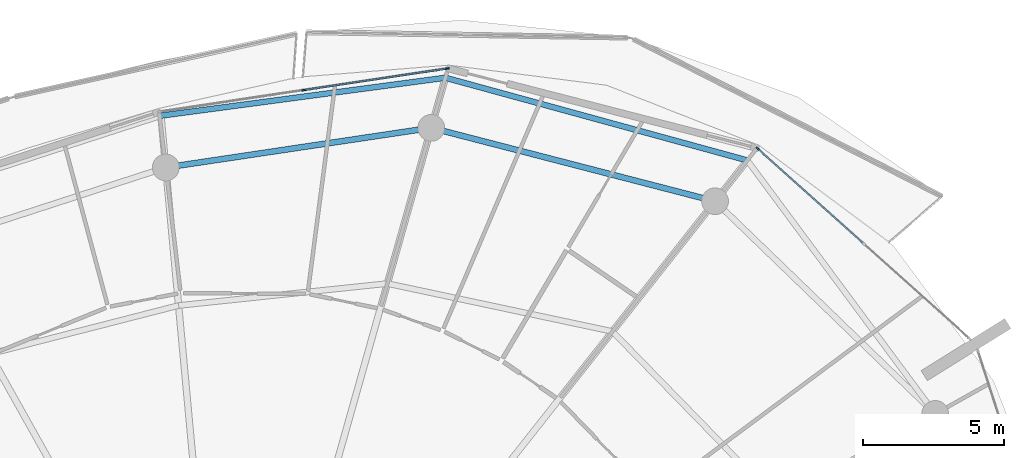
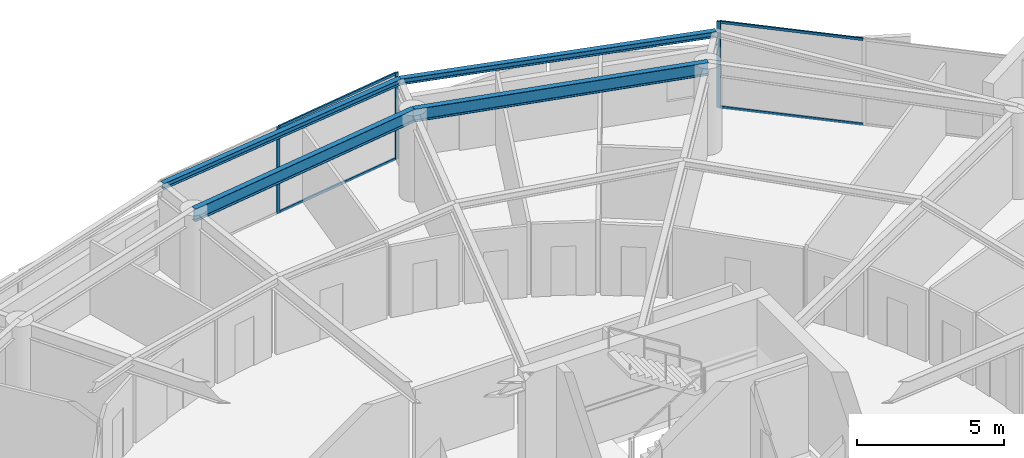
# One storey, part 16 of 30: 7 members, 4 beams, 2 elements without a shape of their own.
"""IFC4 building model written with IfcOpenShell, lengths in metres."""

from ifc_helpers import new_model, si_unit, direction, frame, origin, origin_2d, place, context, subcontext, project, spatial, rectangle, i_section, extrude, material, layer, layer_set, material_profile, profile_set, type_object, element, aggregate, save


model = new_model("IFC4")

# Units and contexts
model_context = context("Model", 3, precision=1e-05, world=origin(), true_north=direction((0.0, 1.0)))
body_context = subcontext(model_context, "Body", "Model", "MODEL_VIEW")
ifc_project = project(units=[si_unit("LENGTHUNIT", "METRE"), si_unit("AREAUNIT", "SQUARE_METRE"), si_unit("VOLUMEUNIT", "CUBIC_METRE"), si_unit("PLANEANGLEUNIT", "RADIAN"), si_unit("MASSUNIT", "GRAM", prefix="KILO")], contexts=[model_context])

# Site, building, storey
site_placement = place(None, origin())
site = spatial("IfcSite", under=ifc_project, at=site_placement, CompositionType="ELEMENT")
building_placement = place(site_placement, origin())
building = spatial("IfcBuilding", under=site, at=building_placement, Name="Kazma Halo Residences", CompositionType="ELEMENT")
storey_placement = place(building_placement, frame((0.0, 0.0, 298.300048828125)))
storey = spatial("IfcBuildingStorey", under=building, at=storey_placement, Name="L75", CompositionType="ELEMENT", Elevation=298.300048828125)

# Beams
ifc_material_1 = material(Name="Steel S355", Category="steel")
ifc_material_profile_1 = material_profile(ifc_material_1, i_section(OverallWidth=0.201904296875, OverallDepth=0.2470703125, WebThickness=0.00732421875, FlangeThickness=0.010986328125, FilletRadius=0.011962890625, at=origin_2d()), Name="W250x49.1")
ifc_profile_set_1 = profile_set([ifc_material_profile_1], Name="Steel S355")
beam_type_1 = type_object("IfcBeamType", Name="BM-BAL-CANT", PredefinedType="BEAM", material=ifc_profile_set_1)
beam_1_placement = place(storey_placement, frame((65.992431640625, 64.823486328125, 3.466552734375), z_axis=(-0.964514665976, 0.264029277006, 0.0), x_axis=(-0.264029277006, -0.964514665976, 0.0)))
element("IfcBeam", 1, at=beam_1_placement, inside=storey, type_object=beam_type_1, Name="L75 wave-balcony tie beam 02", PredefinedType="BEAM", context=body_context, shape_type="SweptSolid", body=[
    extrude(i_section(OverallWidth=0.201904296875, OverallDepth=0.2470703125, WebThickness=0.00732421875, FlangeThickness=0.010986328125, FilletRadius=0.011962890625, at=origin_2d()), origin(), (0.0, 0.0, 1.0), 11.1220703125),
])
beam_2_placement = place(storey_placement, frame((55.26513671875, 67.760009765625, 3.466552734375), z_axis=(-0.991234590706, -0.132113535217, 0.0), x_axis=(0.132113535217, -0.991234590706, 0.0)))
element("IfcBeam", 2, at=beam_2_placement, inside=storey, type_object=beam_type_1, Name="L75 wave-balcony tie beam 03", PredefinedType="BEAM", context=body_context, shape_type="SweptSolid", body=[
    extrude(i_section(OverallWidth=0.201904296875, OverallDepth=0.2470703125, WebThickness=0.00732421875, FlangeThickness=0.010986328125, FilletRadius=0.011962890625, at=origin_2d()), origin(), (0.0, 0.0, 1.0), 10.197021484375),
])
ifc_material_profile_2 = material_profile(ifc_material_1, i_section(OverallWidth=0.208984375, OverallDepth=0.532958984375, WebThickness=0.01025390625, FlangeThickness=0.015625, FilletRadius=0.01611328125, at=origin_2d()), Name="W530x92")
ifc_profile_set_2 = profile_set([ifc_material_profile_2], Name="Steel S355")
beam_type_2 = type_object("IfcBeamType", Name="BM-SPN-W530", PredefinedType="BEAM", material=ifc_profile_set_2)
beam_3_placement = place(storey_placement, frame((64.84716796875, 63.37060546875, 3.323486328125), z_axis=(-0.968126042852, 0.250463500639, 0.0), x_axis=(-0.250463500639, -0.968126042852, 0.0)))
element("IfcBeam", 3, at=beam_3_placement, inside=storey, type_object=beam_type_2, Name="L75 perimeter ring beam 02", PredefinedType="BEAM", context=body_context, shape_type="SweptSolid", body=[
    extrude(i_section(OverallWidth=0.208984375, OverallDepth=0.532958984375, WebThickness=0.01025390625, FlangeThickness=0.015625, FilletRadius=0.01611328125, at=origin_2d()), origin(), (0.0, 0.0, 1.0), 10.416259765625),
])
beam_4_placement = place(storey_placement, frame((54.762939453125, 65.9794921875, 3.323486328125), z_axis=(-0.989035441627, -0.147678350495, 0.0), x_axis=(0.147678350495, -0.989035441627, 0.0)))
element("IfcBeam", 4, at=beam_4_placement, inside=storey, type_object=beam_type_2, Name="L75 perimeter ring beam 03", PredefinedType="BEAM", context=body_context, shape_type="SweptSolid", body=[
    extrude(i_section(OverallWidth=0.208984375, OverallDepth=0.532958984375, WebThickness=0.01025390625, FlangeThickness=0.015625, FilletRadius=0.01611328125, at=origin_2d()), origin(), (0.0, 0.0, 1.0), 9.538818359375),
])

# Curtain wall, member
ifc_material_2 = material(Name="Aluminium AW-6063 T6 and Triple-Silver Low-E Glass", Category="aluminium")
ifc_layer = layer(ifc_material_2, 0.139892578125)
ifc_layer_set = layer_set([ifc_layer], Name="Aluminium AW-6063 T6 and Triple-Silver Low-E Glass")
curtain_wall_type = type_object("IfcCurtainWallType", Name="CW-SYS-5", PredefinedType="NOTDEFINED", material=ifc_layer_set)
curtain_wall_1_placement = place(storey_placement, origin())
curtain_wall_1 = element("IfcCurtainWall", 5, at=curtain_wall_1_placement, inside=storey, type_object=curtain_wall_type, Name="L75 unitised curtain wall B01", PredefinedType="NOTDEFINED")
ifc_material_3 = material(Name="Aluminium AW-6063 T6", Category="aluminium")
ifc_material_profile_3 = material_profile(ifc_material_3, rectangle(XDim=0.06005859375, YDim=0.139892578125, at=origin_2d()), Name="CWM-60x140")
ifc_profile_set_3 = profile_set([ifc_material_profile_3], Name="Aluminium AW-6063 T6")
member_type_1 = type_object("IfcMemberType", Name="CW-SYS-5-MUL", PredefinedType="MULLION", material=ifc_profile_set_3)
member_1_placement = place(storey_placement, frame((66.3603515625, 65.241455078125, 0.0), z_axis=(0.0, 0.0, 1.0), x_axis=(-0.667804826958, -0.744336424671, 0.0)))
member_1 = element("IfcMember", 6, at=member_1_placement, type_object=member_type_1, Name="CWS-5 mullion 3", PredefinedType="MULLION", context=body_context, shape_type="SweptSolid", body=[
    extrude(rectangle(XDim=0.06005859375, YDim=0.139892578125, at=origin_2d()), origin(), (0.0, 0.0, 1.0), 3.58984375),
])

# Curtain wall, members
curtain_wall_2_placement = place(storey_placement, origin())
curtain_wall_2 = element("IfcCurtainWall", 7, at=curtain_wall_2_placement, inside=storey, type_object=curtain_wall_type, Name="L75 unitised curtain wall B03", PredefinedType="NOTDEFINED")
member_2_placement = place(storey_placement, frame((55.328857421875, 68.087158203125, 0.0), z_axis=(0.0, 0.0, 1.0), x_axis=(0.148697080374, -0.988882792998, 0.0)))
member_2 = element("IfcMember", 8, at=member_2_placement, type_object=member_type_1, Name="CWS-5 mullion 1", PredefinedType="MULLION", context=body_context, shape_type="SweptSolid", body=[
    extrude(rectangle(XDim=0.06005859375, YDim=0.139892578125, at=origin_2d()), origin(), (0.0, 0.0, 1.0), 3.58984375),
])
member_3_placement = place(storey_placement, frame((50.2265625, 67.320068359375, 0.0), z_axis=(0.0, 0.0, 1.0), x_axis=(0.148697080374, -0.988882792998, 0.0)))
member_3 = element("IfcMember", 9, at=member_3_placement, type_object=member_type_1, Name="CWS-5 mullion 2", PredefinedType="MULLION", context=body_context, shape_type="SweptSolid", body=[
    extrude(rectangle(XDim=0.06005859375, YDim=0.139892578125, at=origin_2d()), origin(), (0.0, 0.0, 1.0), 3.58984375),
])

# Member
ifc_material_profile_4 = material_profile(ifc_material_3, rectangle(XDim=0.06005859375, YDim=0.10498046875, at=origin_2d()), Name="CWT-60x105")
ifc_profile_set_4 = profile_set([ifc_material_profile_4], Name="Aluminium AW-6063 T6")
member_type_2 = type_object("IfcMemberType", Name="CW-SYS-5-TRN", PredefinedType="USERDEFINED", material=ifc_profile_set_4)
member_4_placement = place(storey_placement, frame((70.099609375, 61.88671875, 0.030029296875), z_axis=(-0.744350700793, 0.667788914425, 0.0), x_axis=(-0.667788914425, -0.744350700793, 0.0)))
member_4 = element("IfcMember", 10, at=member_4_placement, type_object=member_type_2, Name="CWS-5 transom 2.1", ObjectType="TRANSOM", PredefinedType="USERDEFINED", context=body_context, shape_type="SweptSolid", body=[
    extrude(rectangle(XDim=0.06005859375, YDim=0.10498046875, at=origin_2d()), origin(), (0.0, 0.0, 1.0), 4.99365234375),
])

member_5_placement = place(storey_placement, frame((70.099609375, 61.88671875, 3.56005859375), z_axis=(-0.744350700793, 0.667788914425, 0.0), x_axis=(-0.667788914425, -0.744350700793, 0.0)))
member_5 = element("IfcMember", 11, at=member_5_placement, type_object=member_type_2, Name="CWS-5 transom 2.2", ObjectType="TRANSOM", PredefinedType="USERDEFINED", context=body_context, shape_type="SweptSolid", body=[
    extrude(rectangle(XDim=0.06005859375, YDim=0.10498046875, at=origin_2d()), origin(), (0.0, 0.0, 1.0), 4.99365234375),
])

aggregate(curtain_wall_1, [member_1, member_4, member_5])

member_6_placement = place(storey_placement, frame((55.29931640625, 68.082763671875, 0.030029296875), z_axis=(-0.988883972013, -0.148689239341, 0.0), x_axis=(0.148689239341, -0.988883972013, 0.0)))
member_6 = element("IfcMember", 12, at=member_6_placement, type_object=member_type_2, Name="CWS-5 transom 1.1", ObjectType="TRANSOM", PredefinedType="USERDEFINED", context=body_context, shape_type="SweptSolid", body=[
    extrude(rectangle(XDim=0.06005859375, YDim=0.10498046875, at=origin_2d()), origin(), (0.0, 0.0, 1.0), 5.099853515625),
])

member_7_placement = place(storey_placement, frame((55.29931640625, 68.082763671875, 3.56005859375), z_axis=(-0.988883972013, -0.148689239341, 0.0), x_axis=(0.148689239341, -0.988883972013, 0.0)))
member_7 = element("IfcMember", 13, at=member_7_placement, type_object=member_type_2, Name="CWS-5 transom 1.2", ObjectType="TRANSOM", PredefinedType="USERDEFINED", context=body_context, shape_type="SweptSolid", body=[
    extrude(rectangle(XDim=0.06005859375, YDim=0.10498046875, at=origin_2d()), origin(), (0.0, 0.0, 1.0), 5.099853515625),
])

aggregate(curtain_wall_2, [member_2, member_3, member_6, member_7])

save(model, "model.ifc")
